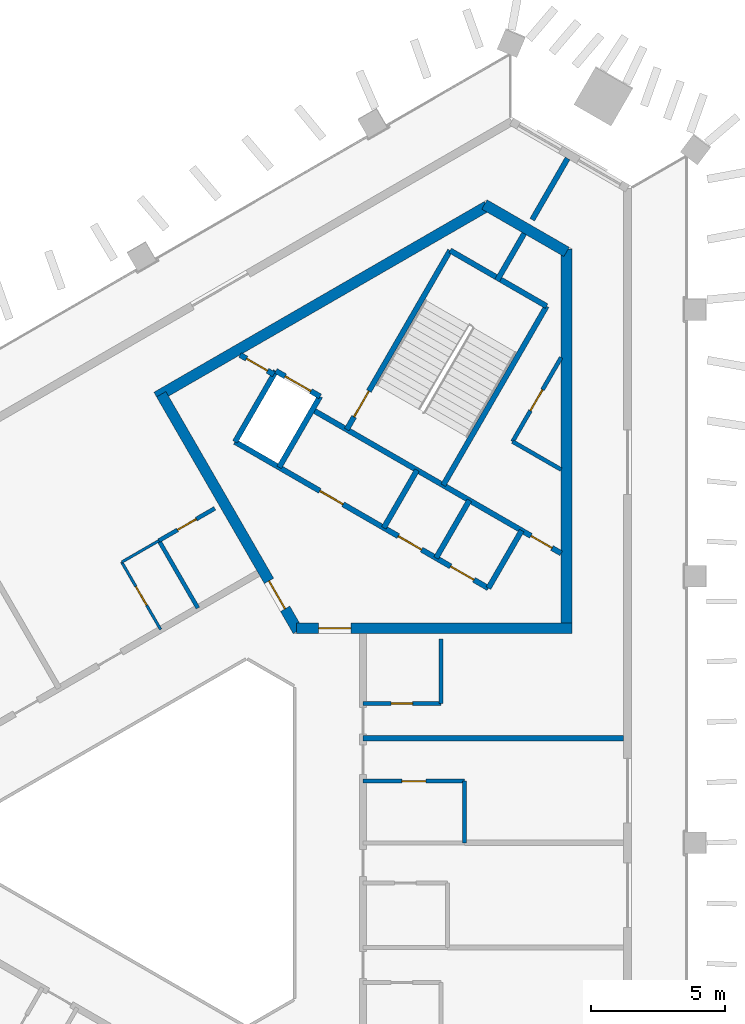
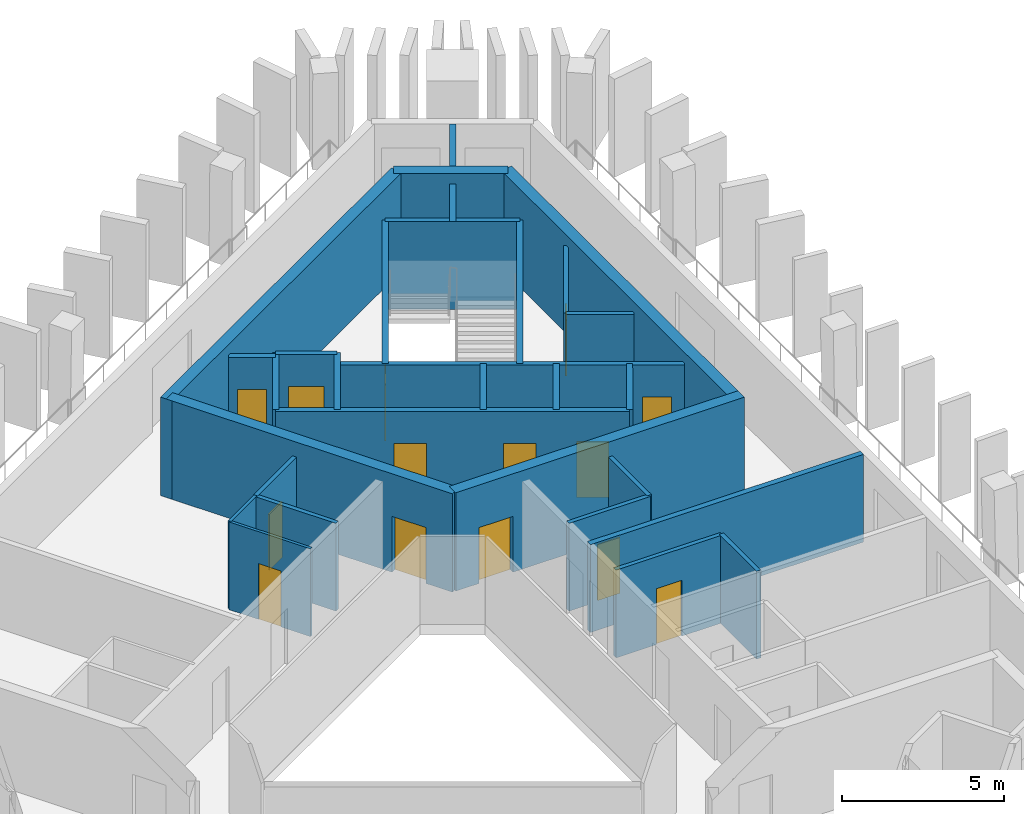
# One storey, part 5 of 10: 30 walls, 14 doors, 14 openings.
"""IFC4 building model written with IfcOpenShell, lengths in metres."""

from ifc_helpers import new_model, si_unit, direction, frame, frame_2d, origin, place, context, subcontext, project, spatial, rectangle, extrude, material, layer, layer_set, type_object, element, fill, save


model = new_model("IFC4")

# Units and contexts
model_context = context("Model", 3, precision=1e-05, world=origin(), true_north=direction((0.0, 1.0)))
body_context = subcontext(model_context, "Body", "Model", "MODEL_VIEW")
ifc_project = project(units=[si_unit("LENGTHUNIT", "METRE"), si_unit("AREAUNIT", "SQUARE_METRE"), si_unit("VOLUMEUNIT", "CUBIC_METRE"), si_unit("PLANEANGLEUNIT", "RADIAN"), si_unit("MASSUNIT", "GRAM", prefix="KILO")], contexts=[model_context])

# Site, building, storey
site_placement = place(None, origin())
site = spatial("IfcSite", under=ifc_project, at=site_placement, CompositionType="ELEMENT")
building_placement = place(site_placement, origin())
building = spatial("IfcBuilding", under=site, at=building_placement, Name="Jabali Bay Hotel Tower and Convention Centre", CompositionType="ELEMENT")
storey_placement = place(building_placement, frame((0.0, 0.0, 255.300048828125)))
storey = spatial("IfcBuildingStorey", under=building, at=storey_placement, Name="L62", CompositionType="ELEMENT", Elevation=255.300048828125)

# Wall
ifc_material_1 = material(Name="Concrete C40", Category="concrete")
ifc_layer_1 = layer(ifc_material_1, 0.199951171875)
ifc_layer_set_1 = layer_set([ifc_layer_1], Name="Concrete C40")
wall_type_1 = type_object("IfcWallType", Name="Core partition wall 200", PredefinedType="PARTITIONING", material=ifc_layer_set_1)
wall_1_placement = place(storey_placement, frame((87.090087890625, 100.9404296875, 0.0), z_axis=(0.0, 0.0, 1.0), x_axis=(0.499941815747, 0.866058993873, 0.0)))
element("IfcWall", 1, at=wall_1_placement, inside=storey, type_object=wall_type_1, Name="Core wall 1.5 L62", PredefinedType="PARTITIONING", context=body_context, shape_type="SweptSolid", body=[
    extrude(rectangle(XDim=2.023193359375, YDim=0.199951171875, at=frame_2d((1.01171875, 0.0))), origin(), (0.0, 0.0, 1.0), 3.300048828125),
])

# Wall, opening, door
wall_2_placement = place(storey_placement, frame((78.7802734375, 97.447509765625, 0.0), z_axis=(0.0, 0.0, 1.0), x_axis=(-0.866045896294, 0.499964504253, 0.0)))
wall_2 = element("IfcWall", 2, at=wall_2_placement, inside=storey, type_object=wall_type_1, Name="Core wall 1.11 L62", PredefinedType="PARTITIONING", context=body_context, shape_type="SweptSolid", body=[
    extrude(rectangle(XDim=1.455078125, YDim=0.199951171875, at=frame_2d((0.7275390625, 0.0))), origin(), (0.0, 0.0, 1.0), 3.300048828125),
])
opening_1_placement = place(wall_2_placement, frame((0.277587890625, 0.0, 0.0)))
opening_1 = element("IfcOpeningElement", 3, at=opening_1_placement, cuts=wall_2, Name="Opening D1365", PredefinedType="OPENING", context=body_context, shape_type="SweptSolid", body=[
    extrude(rectangle(XDim=0.89990234375, YDim=2.10009765625, at=frame_2d((0.449951171875, 1.050048828125))), frame((0.0, 0.1103515625, 0.0), z_axis=(0.0, -1.0, 0.0), x_axis=(1.0, 0.0, 0.0)), (0.0, 0.0, 1.0), 0.220947265625),
])
ifc_material_2 = material(Name="Fire-rated steel door", Category="steel")
door_type_1 = type_object("IfcDoorType", Name="Vestibule fire door 900 x 2100", OperationType="NOTDEFINED", PredefinedType="NOTDEFINED", material=ifc_material_2)
door_1_placement = place(opening_1_placement, origin())
door_1 = element("IfcDoor", 4, at=door_1_placement, inside=storey, type_object=door_type_1, Name="Vestibule fire door D1365", OperationType="SINGLE_SWING_LEFT", OverallHeight=2.10009765625, OverallWidth=0.89990234375, PredefinedType="NOTDEFINED", context=body_context, shape_type="SweptSolid", body=[
    extrude(rectangle(XDim=0.89990234375, YDim=2.10009765625, at=frame_2d((0.449951171875, 1.050048828125))), frame((0.0, 0.02490234375, 0.0), z_axis=(0.0, -1.0, 0.0), x_axis=(1.0, 0.0, 0.0)), (0.0, 0.0, 1.0), 0.050048828125),
])
fill(opening_1, door_1)

ifc_material_3 = material(Name="Fire-rated board partition")
ifc_layer_2 = layer(ifc_material_3, 0.14990234375)
ifc_layer_set_2 = layer_set([ifc_layer_2], Name="Fire-rated board partition")
wall_type_2 = type_object("IfcWallType", Name="Core room partition 150", PredefinedType="PARTITIONING", material=ifc_layer_set_2)
wall_3_placement = place(storey_placement, frame((87.671142578125, 94.947021484375, 0.0), z_axis=(0.0, 0.0, 1.0), x_axis=(0.499993116331, 0.866029378036, 0.0)))
wall_3 = element("IfcWall", 5, at=wall_3_placement, inside=storey, type_object=wall_type_2, Name="Core wall 1.1 L62", PredefinedType="PARTITIONING", context=body_context, shape_type="SweptSolid", body=[
    extrude(rectangle(XDim=3.61767578125, YDim=0.14990234375, at=frame_2d((1.808837890625, 0.0))), origin(), (0.0, 0.0, 1.0), 3.300048828125),
])
opening_2_placement = place(wall_3_placement, frame((1.33154296875, 0.0, 0.0)))
opening_2 = element("IfcOpeningElement", 6, at=opening_2_placement, cuts=wall_3, Name="Opening D1368", PredefinedType="OPENING", context=body_context, shape_type="SweptSolid", body=[
    extrude(rectangle(XDim=0.89990234375, YDim=2.10009765625, at=frame_2d((0.449951171875, 1.050048828125))), frame((0.0, 0.08544921875, 0.0), z_axis=(0.0, -1.0, 0.0), x_axis=(1.0, 0.0, 0.0)), (0.0, 0.0, 1.0), 0.1708984375),
])
door_type_2 = type_object("IfcDoorType", Name="Core room door 900 x 2100", OperationType="NOTDEFINED", PredefinedType="NOTDEFINED", material=ifc_material_2)
door_2_placement = place(opening_2_placement, origin())
door_2 = element("IfcDoor", 7, at=door_2_placement, inside=storey, type_object=door_type_2, Name="Core room door D1368", OperationType="SINGLE_SWING_LEFT", OverallHeight=2.10009765625, OverallWidth=0.89990234375, PredefinedType="NOTDEFINED", context=body_context, shape_type="SweptSolid", body=[
    extrude(rectangle(XDim=0.89990234375, YDim=2.10009765625, at=frame_2d((0.449951171875, 1.050048828125))), frame((0.0, 0.02490234375, 0.0), z_axis=(0.0, -1.0, 0.0), x_axis=(1.0, 0.0, 0.0)), (0.0, 0.0, 1.0), 0.050048828125),
])
fill(opening_2, door_2)

# Walls
wall_4_placement = place(storey_placement, frame((89.47998046875, 93.902587890625, 0.0), z_axis=(0.0, 0.0, 1.0), x_axis=(-0.866004557827, 0.500036104519, 0.0)))
element("IfcWall", 8, at=wall_4_placement, inside=storey, type_object=wall_type_2, Name="Core wall 1.13 L62", PredefinedType="PARTITIONING", context=body_context, shape_type="SweptSolid", body=[
    extrude(rectangle(XDim=2.088623046875, YDim=0.14990234375, at=frame_2d((1.04443359375, 0.0))), origin(), (0.0, 0.0, 1.0), 3.300048828125),
])
ifc_layer_3 = layer(ifc_material_1, 0.199951171875)
ifc_layer_set_3 = layer_set([ifc_layer_3], Name="Concrete C40")
wall_type_3 = type_object("IfcWallType", Name="Core stair wall 200", PredefinedType="SOLIDWALL", material=ifc_layer_set_3)
for number, where, z_axis, x_axis, name in (
    (9, (86.769775390625, 89.48583984375, 0.0), (0.0, 0.0, 1.0), (0.499961042966, 0.86604789447, 0.0), "Core wall 1.0 L62"),
    (10, (84.8212890625, 90.61083984375, 0.0), (0.0, 0.0, 1.0), (0.499961042966, 0.86604789447, 0.0), "Core wall 1.2 L62"),
):
    element("IfcWall", number, at=place(storey_placement, frame(where, z_axis=z_axis, x_axis=x_axis)), inside=storey, type_object=wall_type_3, Name=name, PredefinedType="SOLIDWALL", context=body_context, shape_type="SweptSolid", body=[
        extrude(rectangle(XDim=2.480224609375, YDim=0.199951171875, at=frame_2d((1.240234375, 0.0))), origin(), (0.0, 0.0, 1.0), 3.300048828125),
    ])
wall_5_placement = place(storey_placement, frame((85.0869140625, 93.3212890625, 0.0), z_axis=(0.0, 0.0, 1.0), x_axis=(0.500019787375, 0.866013979237, 0.0)))
element("IfcWall", 11, at=wall_5_placement, inside=storey, type_object=wall_type_3, Name="Core wall 1.3 L62", PredefinedType="SOLIDWALL", context=body_context, shape_type="SweptSolid", body=[
    extrude(rectangle(XDim=7.699951171875, YDim=0.199951171875, at=frame_2d((3.85009765625, 0.0))), origin(), (0.0, 0.0, 1.0), 3.300048828125),
])
wall_6_placement = place(storey_placement, frame((82.872802734375, 91.73583984375, 0.0), z_axis=(0.0, 0.0, 1.0), x_axis=(0.499961042966, 0.86604789447, 0.0)))
element("IfcWall", 12, at=wall_6_placement, inside=storey, type_object=wall_type_3, Name="Core wall 1.4 L62", PredefinedType="SOLIDWALL", context=body_context, shape_type="SweptSolid", body=[
    extrude(rectangle(XDim=2.480224609375, YDim=0.199951171875, at=frame_2d((1.240234375, 0.0))), origin(), (0.0, 0.0, 1.0), 3.300048828125),
])

# Wall, opening, door
wall_7_placement = place(storey_placement, frame((81.492919921875, 95.396240234375, 0.0), z_axis=(0.0, 0.0, 1.0), x_axis=(0.500006057782, 0.866021906294, 0.0)))
wall_7 = element("IfcWall", 13, at=wall_7_placement, inside=storey, type_object=wall_type_3, Name="Core wall 1.6 L62", PredefinedType="SOLIDWALL", context=body_context, shape_type="SweptSolid", body=[
    extrude(rectangle(XDim=7.7001953125, YDim=0.199951171875, at=frame_2d((3.85009765625, 0.0))), origin(), (0.0, 0.0, 1.0), 3.300048828125),
])
opening_3_placement = place(wall_7_placement, frame((0.550048828125, 0.0, 0.0)))
opening_3 = element("IfcOpeningElement", 14, at=opening_3_placement, cuts=wall_7, Name="Opening D1367", PredefinedType="OPENING", context=body_context, shape_type="SweptSolid", body=[
    extrude(rectangle(XDim=1.10009765625, YDim=2.10009765625, at=frame_2d((0.550048828125, 1.050048828125))), frame((0.0, 0.1103515625, 0.0), z_axis=(0.0, -1.0, 0.0), x_axis=(1.0, 0.0, 0.0)), (0.0, 0.0, 1.0), 0.220947265625),
])
door_type_3 = type_object("IfcDoorType", Name="Stair fire door 1100 x 2100", OperationType="NOTDEFINED", PredefinedType="NOTDEFINED", material=ifc_material_2)
door_3_placement = place(opening_3_placement, origin())
door_3 = element("IfcDoor", 15, at=door_3_placement, inside=storey, type_object=door_type_3, Name="Stair fire door D1367", OperationType="SINGLE_SWING_RIGHT", OverallHeight=2.10009765625, OverallWidth=1.10009765625, PredefinedType="NOTDEFINED", context=body_context, shape_type="SweptSolid", body=[
    extrude(rectangle(XDim=1.10009765625, YDim=2.10009765625, at=frame_2d((0.550048828125, 1.050048828125))), frame((0.0, 0.02490234375, 0.0), z_axis=(0.0, -1.0, 0.0), x_axis=(1.0, 0.0, 0.0)), (0.0, 0.0, 1.0), 0.050048828125),
])
fill(opening_3, door_3)

# Walls
for number, where, z_axis, x_axis, name in (
    (16, (78.9755859375, 93.98583984375, 0.0), (0.0, 0.0, 1.0), (0.499944174705, 0.866057632134, 0.0), "Core wall 1.7 L62"),
    (17, (77.330078125, 94.93603515625, 0.0), (0.0, 0.0, 1.0), (0.500038867431, 0.8660029625, 0.0), "Core wall 1.8 L62"),
):
    element("IfcWall", number, at=place(storey_placement, frame(where, z_axis=z_axis, x_axis=x_axis)), inside=storey, type_object=wall_type_3, Name=name, PredefinedType="SOLIDWALL", context=body_context, shape_type="SweptSolid", body=[
        extrude(rectangle(XDim=3.050048828125, YDim=0.199951171875, at=frame_2d((1.52490234375, 0.0))), origin(), (0.0, 0.0, 1.0), 3.300048828125),
    ])

# Wall, openings, doors
wall_8_placement = place(storey_placement, frame((86.769775390625, 89.48583984375, 0.0), z_axis=(0.0, 0.0, 1.0), x_axis=(-0.86601811187, 0.500012629753, 0.0)))
wall_8 = element("IfcWall", 18, at=wall_8_placement, inside=storey, type_object=wall_type_3, Name="Core wall 1.9 L62", PredefinedType="SOLIDWALL", context=body_context, shape_type="SweptSolid", body=[
    extrude(rectangle(XDim=10.900146484375, YDim=0.199951171875, at=frame_2d((5.4501953125, 0.0))), origin(), (0.0, 0.0, 1.0), 3.300048828125),
])
opening_4_placement = place(wall_8_placement, frame((0.625, 0.0, 0.0)))
opening_4 = element("IfcOpeningElement", 19, at=opening_4_placement, cuts=wall_8, Name="Opening D1362", PredefinedType="OPENING", context=body_context, shape_type="SweptSolid", body=[
    extrude(rectangle(XDim=1.0, YDim=2.10009765625, at=frame_2d((0.5, 1.050048828125))), frame((0.0, 0.1103515625, 0.0), z_axis=(0.0, -1.0, 0.0), x_axis=(1.0, 0.0, 0.0)), (0.0, 0.0, 1.0), 0.220947265625),
])
opening_5_placement = place(wall_8_placement, frame((2.875, 0.0, 0.0)))
opening_5 = element("IfcOpeningElement", 20, at=opening_5_placement, cuts=wall_8, Name="Opening D1363", PredefinedType="OPENING", context=body_context, shape_type="SweptSolid", body=[
    extrude(rectangle(XDim=1.0, YDim=2.10009765625, at=frame_2d((0.5, 1.050048828125))), frame((0.0, 0.1103515625, 0.0), z_axis=(0.0, -1.0, 0.0), x_axis=(1.0, 0.0, 0.0)), (0.0, 0.0, 1.0), 0.220947265625),
])
opening_6_placement = place(wall_8_placement, frame((6.25, 0.0, 0.0)))
opening_6 = element("IfcOpeningElement", 21, at=opening_6_placement, cuts=wall_8, Name="Opening D1364", PredefinedType="OPENING", context=body_context, shape_type="SweptSolid", body=[
    extrude(rectangle(XDim=1.0, YDim=2.10009765625, at=frame_2d((0.5, 1.050048828125))), frame((0.0, 0.1103515625, 0.0), z_axis=(0.0, -1.0, 0.0), x_axis=(1.0, 0.0, 0.0)), (0.0, 0.0, 1.0), 0.220947265625),
])
door_type_4 = type_object("IfcDoorType", Name="Core room door 1000 x 2100", OperationType="NOTDEFINED", PredefinedType="NOTDEFINED", material=ifc_material_2)
door_4_placement = place(opening_4_placement, origin())
door_4 = element("IfcDoor", 22, at=door_4_placement, inside=storey, type_object=door_type_4, Name="Core room door D1362", OperationType="SINGLE_SWING_RIGHT", OverallHeight=2.10009765625, OverallWidth=1.0, PredefinedType="NOTDEFINED", context=body_context, shape_type="SweptSolid", body=[
    extrude(rectangle(XDim=1.0, YDim=2.10009765625, at=frame_2d((0.5, 1.050048828125))), frame((0.0, 0.02490234375, 0.0), z_axis=(0.0, -1.0, 0.0), x_axis=(1.0, 0.0, 0.0)), (0.0, 0.0, 1.0), 0.050048828125),
])
fill(opening_4, door_4)
door_5_placement = place(opening_5_placement, origin())
door_5 = element("IfcDoor", 23, at=door_5_placement, inside=storey, type_object=door_type_4, Name="Core room door D1363", OperationType="SINGLE_SWING_RIGHT", OverallHeight=2.10009765625, OverallWidth=1.0, PredefinedType="NOTDEFINED", context=body_context, shape_type="SweptSolid", body=[
    extrude(rectangle(XDim=1.0, YDim=2.10009765625, at=frame_2d((0.5, 1.050048828125))), frame((0.0, 0.02490234375, 0.0), z_axis=(0.0, -1.0, 0.0), x_axis=(1.0, 0.0, 0.0)), (0.0, 0.0, 1.0), 0.050048828125),
])
fill(opening_5, door_5)
door_6_placement = place(opening_6_placement, origin())
door_6 = element("IfcDoor", 24, at=door_6_placement, inside=storey, type_object=door_type_4, Name="Core room door D1364", OperationType="SINGLE_SWING_RIGHT", OverallHeight=2.10009765625, OverallWidth=1.0, PredefinedType="NOTDEFINED", context=body_context, shape_type="SweptSolid", body=[
    extrude(rectangle(XDim=1.0, YDim=2.10009765625, at=frame_2d((0.5, 1.050048828125))), frame((0.0, 0.02490234375, 0.0), z_axis=(0.0, -1.0, 0.0), x_axis=(1.0, 0.0, 0.0)), (0.0, 0.0, 1.0), 0.050048828125),
])
fill(opening_6, door_6)

# Wall, opening, door
wall_9_placement = place(storey_placement, frame((89.47998046875, 90.784912109375, 0.0), z_axis=(0.0, 0.0, 1.0), x_axis=(-0.866022544512, 0.500004952373, 0.0)))
wall_9 = element("IfcWall", 25, at=wall_9_placement, inside=storey, type_object=wall_type_3, Name="Core wall 1.10 L62", PredefinedType="SOLIDWALL", context=body_context, shape_type="SweptSolid", body=[
    extrude(rectangle(XDim=10.69775390625, YDim=0.199951171875, at=frame_2d((5.348876953125, 0.0))), origin(), (0.0, 0.0, 1.0), 3.300048828125),
])
opening_7_placement = place(wall_9_placement, frame((0.398681640625, 0.0, 0.0)))
opening_7 = element("IfcOpeningElement", 26, at=opening_7_placement, cuts=wall_9, Name="Opening D1366", PredefinedType="OPENING", context=body_context, shape_type="SweptSolid", body=[
    extrude(rectangle(XDim=0.89990234375, YDim=2.10009765625, at=frame_2d((0.449951171875, 1.050048828125))), frame((0.0, 0.1103515625, 0.0), z_axis=(0.0, -1.0, 0.0), x_axis=(1.0, 0.0, 0.0)), (0.0, 0.0, 1.0), 0.220947265625),
])
door_7_placement = place(opening_7_placement, origin())
door_7 = element("IfcDoor", 27, at=door_7_placement, inside=storey, type_object=door_type_1, Name="Vestibule fire door D1366", OperationType="SINGLE_SWING_LEFT", OverallHeight=2.10009765625, OverallWidth=0.89990234375, PredefinedType="NOTDEFINED", context=body_context, shape_type="SweptSolid", body=[
    extrude(rectangle(XDim=0.89990234375, YDim=2.10009765625, at=frame_2d((0.449951171875, 1.050048828125))), frame((0.0, 0.02490234375, 0.0), z_axis=(0.0, -1.0, 0.0), x_axis=(1.0, 0.0, 0.0)), (0.0, 0.0, 1.0), 0.050048828125),
])
fill(opening_7, door_7)

wall_10_placement = place(storey_placement, frame((80.50048828125, 96.62744140625, 0.0), z_axis=(0.0, 0.0, 1.0), x_axis=(-0.86601224135, 0.500022797313, 0.0)))
wall_10 = element("IfcWall", 28, at=wall_10_placement, inside=storey, type_object=wall_type_3, Name="Core wall 1.12 L62", PredefinedType="SOLIDWALL", context=body_context, shape_type="SweptSolid", body=[
    extrude(rectangle(XDim=1.89990234375, YDim=0.199951171875, at=frame_2d((0.949951171875, 0.0))), origin(), (0.0, 0.0, 1.0), 3.300048828125),
])
opening_8_placement = place(wall_10_placement, frame((0.39990234375, 0.0, 0.0)))
opening_8 = element("IfcOpeningElement", 29, at=opening_8_placement, cuts=wall_10, Name="Opening LD10-L62", PredefinedType="OPENING", context=body_context, shape_type="SweptSolid", body=[
    extrude(rectangle(XDim=1.10009765625, YDim=2.10009765625, at=frame_2d((0.550048828125, 1.050048828125))), frame((0.0, 0.1103515625, 0.0), z_axis=(0.0, -1.0, 0.0), x_axis=(1.0, 0.0, 0.0)), (0.0, 0.0, 1.0), 0.220947265625),
])
ifc_material_4 = material(Name="Stainless steel landing door", Category="steel")
door_type_5 = type_object("IfcDoorType", Name="Landing door 1100 x 2100", OperationType="NOTDEFINED", PredefinedType="NOTDEFINED", material=ifc_material_4)
door_8_placement = place(opening_8_placement, origin())
door_8 = element("IfcDoor", 30, at=door_8_placement, inside=storey, type_object=door_type_5, Name="Landing doors LD10-L62", OperationType="SLIDING_TO_RIGHT", OverallHeight=2.10009765625, OverallWidth=1.10009765625, PredefinedType="NOTDEFINED", context=body_context, shape_type="SweptSolid", body=[
    extrude(rectangle(XDim=1.10009765625, YDim=2.10009765625, at=frame_2d((0.550048828125, 1.050048828125))), frame((0.0, 0.02490234375, 0.0), z_axis=(0.0, -1.0, 0.0), x_axis=(1.0, 0.0, 0.0)), (0.0, 0.0, 1.0), 0.050048828125),
])
fill(opening_8, door_8)

# Wall
wall_11_placement = place(storey_placement, frame((88.93701171875, 99.989501953125, 0.0), z_axis=(0.0, 0.0, 1.0), x_axis=(-0.866004344652, 0.500036473714, 0.0)))
element("IfcWall", 31, at=wall_11_placement, inside=storey, type_object=wall_type_3, Name="Core wall 1.14 L62", PredefinedType="SOLIDWALL", context=body_context, shape_type="SweptSolid", body=[
    extrude(rectangle(XDim=4.150146484375, YDim=0.199951171875, at=frame_2d((2.0751953125, 0.0))), origin(), (0.0, 0.0, 1.0), 3.300048828125),
])

# Wall, opening, door
ifc_material_5 = material(Name="Concrete C60", Category="concrete")
ifc_layer_4 = layer(ifc_material_5, 0.39990234375)
ifc_layer_set_4 = layer_set([ifc_layer_4], Name="Concrete C60")
wall_type_4 = type_object("IfcWallType", Name="Core wall 400", PredefinedType="SHEAR", material=ifc_layer_set_4)
wall_12_placement = place(storey_placement, frame((79.615478515625, 87.994140625, 0.0), z_axis=(0.0, 0.0, 1.0), x_axis=(1.0, 0.0, 0.0)))
wall_12 = element("IfcWall", 32, at=wall_12_placement, inside=storey, type_object=wall_type_4, Name="Core wall 2.1 L62", PredefinedType="SHEAR", context=body_context, shape_type="SweptSolid", body=[
    extrude(rectangle(XDim=10.264404296875, YDim=0.39990234375, at=frame_2d((5.13232421875, 0.0))), origin(), (0.0, 0.0, 1.0), 3.699951171875),
])
opening_9_placement = place(wall_12_placement, frame((0.83447265625, 0.0, 0.0)))
opening_9 = element("IfcOpeningElement", 33, at=opening_9_placement, cuts=wall_12, Name="Opening D1360", PredefinedType="OPENING", context=body_context, shape_type="SweptSolid", body=[
    extrude(rectangle(XDim=1.199951171875, YDim=2.10009765625, at=frame_2d((0.60009765625, 1.050048828125))), frame((0.0, 0.21044921875, 0.0), z_axis=(0.0, -1.0, 0.0), x_axis=(1.0, 0.0, 0.0)), (0.0, 0.0, 1.0), 0.4208984375),
])
door_type_6 = type_object("IfcDoorType", Name="Corridor end fire door 1200 x 2100", OperationType="NOTDEFINED", PredefinedType="NOTDEFINED", material=ifc_material_2)
door_9_placement = place(opening_9_placement, origin())
door_9 = element("IfcDoor", 34, at=door_9_placement, inside=storey, type_object=door_type_6, Name="Corridor end fire door D1360", OperationType="SINGLE_SWING_RIGHT", OverallHeight=2.10009765625, OverallWidth=1.199951171875, PredefinedType="NOTDEFINED", context=body_context, shape_type="SweptSolid", body=[
    extrude(rectangle(XDim=1.199951171875, YDim=2.10009765625, at=frame_2d((0.60009765625, 1.050048828125))), frame((0.0, 0.02490234375, 0.0), z_axis=(0.0, -1.0, 0.0), x_axis=(1.0, 0.0, 0.0)), (0.0, 0.0, 1.0), 0.050048828125),
])
fill(opening_9, door_9)

# Walls
wall_13_placement = place(storey_placement, frame((89.679931640625, 87.994140625, 0.0), z_axis=(0.0, 0.0, 1.0), x_axis=(0.0, 1.0, 0.0)))
element("IfcWall", 35, at=wall_13_placement, inside=storey, type_object=wall_type_4, Name="Core wall 2.2 L62", PredefinedType="SHEAR", context=body_context, shape_type="SweptSolid", body=[
    extrude(rectangle(XDim=14.133544921875, YDim=0.39990234375, at=frame_2d((7.06689453125, 0.0))), origin(), (0.0, 0.0, 1.0), 3.699951171875),
])
wall_14_placement = place(storey_placement, frame((89.679931640625, 102.01220703125, 0.0), z_axis=(0.0, 0.0, 1.0), x_axis=(-0.866025485263, 0.499999858875, 0.0)))
element("IfcWall", 36, at=wall_14_placement, inside=storey, type_object=wall_type_4, Name="Core wall 2.3 L62", PredefinedType="SHEAR", context=body_context, shape_type="SweptSolid", body=[
    extrude(rectangle(XDim=3.52978515625, YDim=0.39990234375, at=frame_2d((1.764892578125, 0.0))), origin(), (0.0, 0.0, 1.0), 3.699951171875),
])
wall_15_placement = place(storey_placement, frame((86.72314453125, 103.71923828125, 0.0), z_axis=(0.0, 0.0, 1.0), x_axis=(-0.866030317223, -0.499991489579, 0.0)))
element("IfcWall", 37, at=wall_15_placement, inside=storey, type_object=wall_type_4, Name="Core wall 2.4 L62", PredefinedType="SHEAR", context=body_context, shape_type="SweptSolid", body=[
    extrude(rectangle(XDim=14.218017578125, YDim=0.39990234375, at=frame_2d((7.10888671875, 0.0))), origin(), (0.0, 0.0, 1.0), 3.699951171875),
])

# Wall, opening, door
wall_16_placement = place(storey_placement, frame((74.583251953125, 96.71044921875, 0.0), z_axis=(0.0, 0.0, 1.0), x_axis=(0.499987488796, -0.866032627011, 0.0)))
wall_16 = element("IfcWall", 38, at=wall_16_placement, inside=storey, type_object=wall_type_4, Name="Core wall 2.5 L62", PredefinedType="SHEAR", context=body_context, shape_type="SweptSolid", body=[
    extrude(rectangle(XDim=10.179931640625, YDim=0.39990234375, at=frame_2d((5.08984375, 0.0))), origin(), (0.0, 0.0, 1.0), 3.699951171875),
])
opening_10_placement = place(wall_16_placement, frame((8.030029296875, 0.0, 0.0)))
opening_10 = element("IfcOpeningElement", 39, at=opening_10_placement, cuts=wall_16, Name="Opening D1361", PredefinedType="OPENING", context=body_context, shape_type="SweptSolid", body=[
    extrude(rectangle(XDim=1.199951171875, YDim=2.10009765625, at=frame_2d((0.60009765625, 1.050048828125))), frame((0.0, 0.21044921875, 0.0), z_axis=(0.0, -1.0, 0.0), x_axis=(1.0, 0.0, 0.0)), (0.0, 0.0, 1.0), 0.4208984375),
])
door_10_placement = place(opening_10_placement, origin())
door_10 = element("IfcDoor", 40, at=door_10_placement, inside=storey, type_object=door_type_6, Name="Corridor end fire door D1361", OperationType="SINGLE_SWING_LEFT", OverallHeight=2.10009765625, OverallWidth=1.199951171875, PredefinedType="NOTDEFINED", context=body_context, shape_type="SweptSolid", body=[
    extrude(rectangle(XDim=1.199951171875, YDim=2.10009765625, at=frame_2d((0.60009765625, 1.050048828125))), frame((0.0, 0.02490234375, 0.0), z_axis=(0.0, -1.0, 0.0), x_axis=(1.0, 0.0, 0.0)), (0.0, 0.0, 1.0), 0.050048828125),
])
fill(opening_10, door_10)

ifc_material_6 = material(Name="Plasterboard on steel stud", Category="steel")
ifc_layer_5 = layer(ifc_material_6, 0.10009765625)
ifc_layer_set_5 = layer_set([ifc_layer_5], Name="Plasterboard on steel stud")
wall_type_5 = type_object("IfcWallType", Name="Partition 100 unit", PredefinedType="PARTITIONING", material=ifc_layer_set_5)
wall_17_placement = place(storey_placement, frame((74.562744140625, 87.94580078125, 0.0), z_axis=(0.0, 0.0, 1.0), x_axis=(-0.499987231761, 0.866032775405, 0.0)))
wall_17 = element("IfcWall", 41, at=wall_17_placement, inside=storey, type_object=wall_type_5, Name="Partition P02 L62 017", PredefinedType="PARTITIONING", context=body_context, shape_type="SweptSolid", body=[
    extrude(rectangle(XDim=2.89990234375, YDim=0.10009765625, at=frame_2d((1.449951171875, 0.0))), origin(), (0.0, 0.0, 1.0), 3.300048828125),
])
opening_11_placement = place(wall_17_placement, frame((1.050048828125, 0.0, 0.0)))
opening_11 = element("IfcOpeningElement", 42, at=opening_11_placement, cuts=wall_17, Name="Opening 6210", PredefinedType="OPENING", context=body_context, shape_type="SweptSolid", body=[
    extrude(rectangle(XDim=0.800048828125, YDim=2.10009765625, at=frame_2d((0.39990234375, 1.050048828125))), frame((0.0, 0.060546875, 0.0), z_axis=(0.0, -1.0, 0.0), x_axis=(1.0, 0.0, 0.0)), (0.0, 0.0, 1.0), 0.12109375),
])
ifc_material_7 = material(Name="Timber", Category="wood")
door_type_7 = type_object("IfcDoorType", Name="Dressing room door 800 x 2100", OperationType="NOTDEFINED", PredefinedType="NOTDEFINED", material=ifc_material_7)
door_11_placement = place(opening_11_placement, origin())
door_11 = element("IfcDoor", 43, at=door_11_placement, inside=storey, type_object=door_type_7, Name="Door 6210", OperationType="SINGLE_SWING_RIGHT", OverallHeight=2.10009765625, OverallWidth=0.800048828125, PredefinedType="NOTDEFINED", context=body_context, shape_type="SweptSolid", body=[
    extrude(rectangle(XDim=0.800048828125, YDim=2.10009765625, at=frame_2d((0.39990234375, 1.050048828125))), frame((0.0, 0.02490234375, 0.0), z_axis=(0.0, -1.0, 0.0), x_axis=(1.0, 0.0, 0.0)), (0.0, 0.0, 1.0), 0.050048828125),
])
fill(opening_11, door_11)

# Wall
wall_18_placement = place(storey_placement, frame((73.11279296875, 90.457275390625, 0.0), z_axis=(0.0, 0.0, 1.0), x_axis=(0.865989903783, 0.500061482766, 0.0)))
element("IfcWall", 44, at=wall_18_placement, inside=storey, type_object=wall_type_5, Name="Partition P02 L62 018", PredefinedType="PARTITIONING", context=body_context, shape_type="SweptSolid", body=[
    extrude(rectangle(XDim=1.599853515625, YDim=0.10009765625, at=frame_2d((0.7998046875, 0.0))), origin(), (0.0, 0.0, 1.0), 3.300048828125),
])

# Wall, opening, door
ifc_layer_6 = layer(ifc_material_6, 0.14990234375)
ifc_layer_set_6 = layer_set([ifc_layer_6], Name="Plasterboard on steel stud")
wall_type_6 = type_object("IfcWallType", Name="Partition 150 wet", PredefinedType="PARTITIONING", material=ifc_layer_set_6)
wall_19_placement = place(storey_placement, frame((82.10009765625, 82.297119140625, 0.0), z_axis=(0.0, 0.0, 1.0), x_axis=(1.0, 0.0, 0.0)))
wall_19 = element("IfcWall", 45, at=wall_19_placement, inside=storey, type_object=wall_type_6, Name="Partition P03 L62 010", PredefinedType="PARTITIONING", context=body_context, shape_type="SweptSolid", body=[
    extrude(rectangle(XDim=3.787353515625, YDim=0.14990234375, at=frame_2d((1.8935546875, 0.0))), origin(), (0.0, 0.0, 1.0), 3.300048828125),
])
opening_12_placement = place(wall_19_placement, frame((1.444091796875, 0.0, 0.0)))
opening_12 = element("IfcOpeningElement", 46, at=opening_12_placement, cuts=wall_19, Name="Opening 6205", PredefinedType="OPENING", context=body_context, shape_type="SweptSolid", body=[
    extrude(rectangle(XDim=0.89990234375, YDim=2.10009765625, at=frame_2d((0.449951171875, 1.050048828125))), frame((0.0, 0.08544921875, 0.0), z_axis=(0.0, -1.0, 0.0), x_axis=(1.0, 0.0, 0.0)), (0.0, 0.0, 1.0), 0.1708984375),
])
door_type_8 = type_object("IfcDoorType", Name="Accessible en-suite door 900 x 2100", OperationType="NOTDEFINED", PredefinedType="NOTDEFINED", material=ifc_material_7)
door_12_placement = place(opening_12_placement, origin())
door_12 = element("IfcDoor", 47, at=door_12_placement, inside=storey, type_object=door_type_8, Name="Door 6205", OperationType="SINGLE_SWING_RIGHT", OverallHeight=2.10009765625, OverallWidth=0.89990234375, PredefinedType="NOTDEFINED", context=body_context, shape_type="SweptSolid", body=[
    extrude(rectangle(XDim=0.89990234375, YDim=2.10009765625, at=frame_2d((0.449951171875, 1.050048828125))), frame((0.0, 0.02490234375, 0.0), z_axis=(0.0, -1.0, 0.0), x_axis=(1.0, 0.0, 0.0)), (0.0, 0.0, 1.0), 0.050048828125),
])
fill(opening_12, door_12)

# Walls
wall_20_placement = place(storey_placement, frame((85.887451171875, 82.297119140625, 0.0), z_axis=(0.0, 0.0, 1.0), x_axis=(0.0, -1.0, 0.0)))
element("IfcWall", 48, at=wall_20_placement, inside=storey, type_object=wall_type_6, Name="Partition P03 L62 011", PredefinedType="PARTITIONING", context=body_context, shape_type="SweptSolid", body=[
    extrude(rectangle(XDim=2.297119140625, YDim=0.14990234375, at=frame_2d((1.1484375, 0.0))), origin(), (0.0, 0.0, 1.0), 3.300048828125),
])
wall_21_placement = place(storey_placement, frame((85.0, 87.59521484375, 0.0), z_axis=(0.0, 0.0, 1.0), x_axis=(0.0, -1.0, 0.0)))
element("IfcWall", 49, at=wall_21_placement, inside=storey, type_object=wall_type_6, Name="Partition P03 L62 013", PredefinedType="PARTITIONING", context=body_context, shape_type="SweptSolid", body=[
    extrude(rectangle(XDim=2.398193359375, YDim=0.14990234375, at=frame_2d((1.19921875, 0.0))), origin(), (0.0, 0.0, 1.0), 3.300048828125),
])

# Wall, opening, door
wall_22_placement = place(storey_placement, frame((85.0, 85.197021484375, 0.0), z_axis=(0.0, 0.0, 1.0), x_axis=(-1.0, 0.0, 0.0)))
wall_22 = element("IfcWall", 50, at=wall_22_placement, inside=storey, type_object=wall_type_6, Name="Partition P03 L62 014", PredefinedType="PARTITIONING", context=body_context, shape_type="SweptSolid", body=[
    extrude(rectangle(XDim=2.89990234375, YDim=0.14990234375, at=frame_2d((1.449951171875, 0.0))), origin(), (0.0, 0.0, 1.0), 3.300048828125),
])
opening_13_placement = place(wall_22_placement, frame((1.050048828125, 0.0, 0.0)))
opening_13 = element("IfcOpeningElement", 51, at=opening_13_placement, cuts=wall_22, Name="Opening 6207", PredefinedType="OPENING", context=body_context, shape_type="SweptSolid", body=[
    extrude(rectangle(XDim=0.800048828125, YDim=2.10009765625, at=frame_2d((0.39990234375, 1.050048828125))), frame((0.0, 0.08544921875, 0.0), z_axis=(0.0, -1.0, 0.0), x_axis=(1.0, 0.0, 0.0)), (0.0, 0.0, 1.0), 0.1708984375),
])
door_type_9 = type_object("IfcDoorType", Name="En-suite door 800 x 2100", OperationType="NOTDEFINED", PredefinedType="NOTDEFINED", material=ifc_material_7)
door_13_placement = place(opening_13_placement, origin())
door_13 = element("IfcDoor", 52, at=door_13_placement, inside=storey, type_object=door_type_9, Name="Door 6207", OperationType="SINGLE_SWING_LEFT", OverallHeight=2.10009765625, OverallWidth=0.800048828125, PredefinedType="NOTDEFINED", context=body_context, shape_type="SweptSolid", body=[
    extrude(rectangle(XDim=0.800048828125, YDim=2.10009765625, at=frame_2d((0.39990234375, 1.050048828125))), frame((0.0, 0.02490234375, 0.0), z_axis=(0.0, -1.0, 0.0), x_axis=(1.0, 0.0, 0.0)), (0.0, 0.0, 1.0), 0.050048828125),
])
fill(opening_13, door_13)

wall_23_placement = place(storey_placement, frame((74.498291015625, 91.25732421875, 0.0), z_axis=(0.0, 0.0, 1.0), x_axis=(0.866038271014, 0.499977712642, 0.0)))
wall_23 = element("IfcWall", 53, at=wall_23_placement, inside=storey, type_object=wall_type_6, Name="Partition P03 L62 016", PredefinedType="PARTITIONING", context=body_context, shape_type="SweptSolid", body=[
    extrude(rectangle(XDim=2.40087890625, YDim=0.14990234375, at=frame_2d((1.200439453125, 0.0))), origin(), (0.0, 0.0, 1.0), 3.300048828125),
])
opening_14_placement = place(wall_23_placement, frame((0.801025390625, 0.0, 0.0)))
opening_14 = element("IfcOpeningElement", 54, at=opening_14_placement, cuts=wall_23, Name="Opening 6209", PredefinedType="OPENING", context=body_context, shape_type="SweptSolid", body=[
    extrude(rectangle(XDim=0.800048828125, YDim=2.10009765625, at=frame_2d((0.39990234375, 1.050048828125))), frame((0.0, 0.08544921875, 0.0), z_axis=(0.0, -1.0, 0.0), x_axis=(1.0, 0.0, 0.0)), (0.0, 0.0, 1.0), 0.1708984375),
])
door_14_placement = place(opening_14_placement, origin())
door_14 = element("IfcDoor", 55, at=door_14_placement, inside=storey, type_object=door_type_9, Name="Door 6209", OperationType="SINGLE_SWING_LEFT", OverallHeight=2.10009765625, OverallWidth=0.800048828125, PredefinedType="NOTDEFINED", context=body_context, shape_type="SweptSolid", body=[
    extrude(rectangle(XDim=0.800048828125, YDim=2.10009765625, at=frame_2d((0.39990234375, 1.050048828125))), frame((0.0, 0.02490234375, 0.0), z_axis=(0.0, -1.0, 0.0), x_axis=(1.0, 0.0, 0.0)), (0.0, 0.0, 1.0), 0.050048828125),
])
fill(opening_14, door_14)

# Walls
wall_24_placement = place(storey_placement, frame((74.498291015625, 91.25732421875, 0.0), z_axis=(0.0, 0.0, 1.0), x_axis=(0.499987231761, -0.866032775405, 0.0)))
element("IfcWall", 56, at=wall_24_placement, inside=storey, type_object=wall_type_6, Name="Partition P03 L62 020", PredefinedType="PARTITIONING", context=body_context, shape_type="SweptSolid", body=[
    extrude(rectangle(XDim=2.89990234375, YDim=0.14990234375, at=frame_2d((1.449951171875, 0.0))), origin(), (0.0, 0.0, 1.0), 3.300048828125),
])
ifc_layer_7 = layer(ifc_material_6, 0.199951171875)
ifc_layer_set_7 = layer_set([ifc_layer_7], Name="Plasterboard on steel stud")
wall_type_7 = type_object("IfcWallType", Name="Partition 200 party", PredefinedType="PARTITIONING", material=ifc_layer_set_7)
wall_25_placement = place(storey_placement, frame((91.802490234375, 83.897216796875, 0.0), z_axis=(0.0, 0.0, 1.0), x_axis=(-1.0, 0.0, 0.0)))
element("IfcWall", 57, at=wall_25_placement, inside=storey, type_object=wall_type_7, Name="Partition P01 L62 012", PredefinedType="PARTITIONING", context=body_context, shape_type="SweptSolid", body=[
    extrude(rectangle(XDim=9.702392578125, YDim=0.199951171875, at=frame_2d((4.85107421875, 0.0))), origin(), (0.0, 0.0, 1.0), 3.300048828125),
])
wall_26_placement = place(storey_placement, frame((89.718505859375, 105.4912109375, 0.0), z_axis=(0.0, 0.0, 1.0), x_axis=(-0.499997992926, -0.866026562566, 0.0)))
element("IfcWall", 58, at=wall_26_placement, inside=storey, type_object=wall_type_7, Name="Partition P01 L62 015", PredefinedType="PARTITIONING", context=body_context, shape_type="SweptSolid", body=[
    extrude(rectangle(XDim=2.63330078125, YDim=0.199951171875, at=frame_2d((1.316650390625, 0.0))), origin(), (0.0, 0.0, 1.0), 3.300048828125),
])

save(model, "model.ifc")
